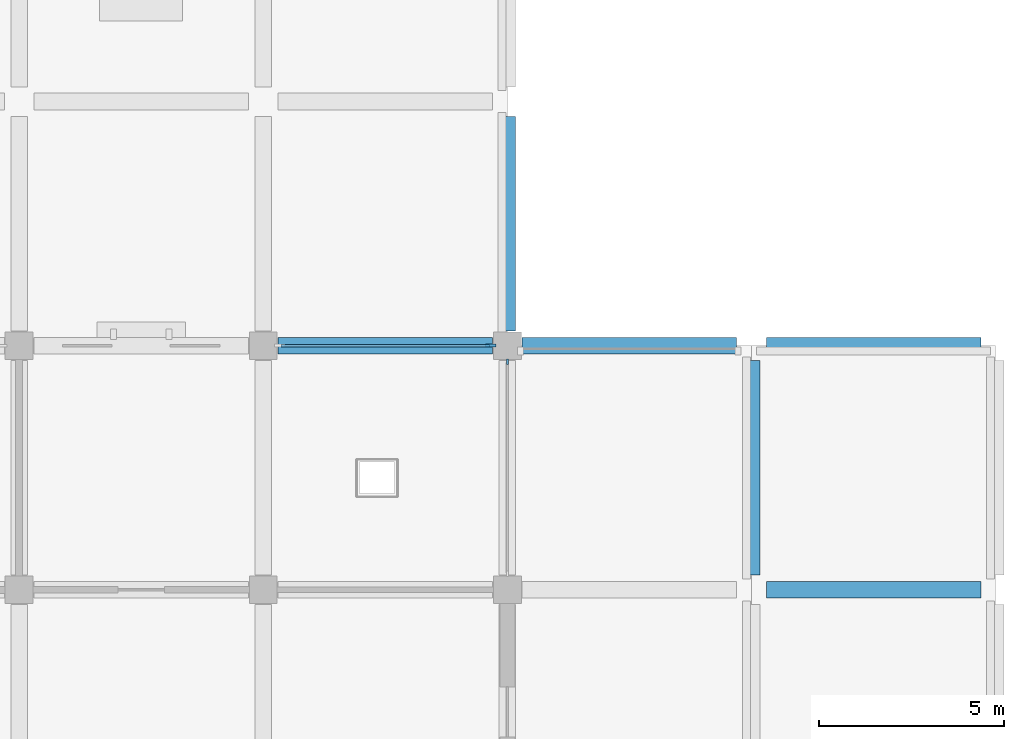
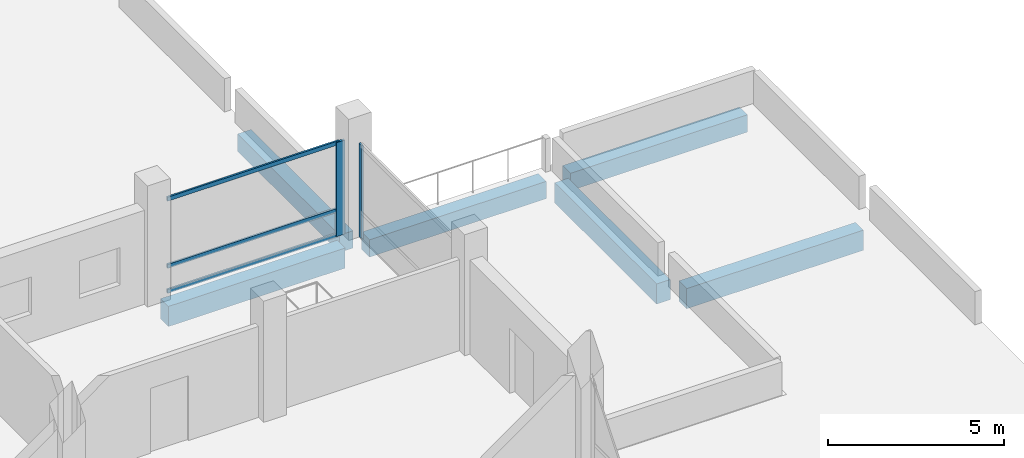
# One storey, part 4 of 23: 6 beams, 5 members, 2 elements without a shape of their own.
"""IFC4 building model written with IfcOpenShell, lengths in metres."""

from ifc_helpers import new_model, si_unit, direction, frame, origin, origin_2d, place, context, subcontext, project, spatial, rectangle, extrude, material, material_profile, profile_set, type_object, element, aggregate, save


model = new_model("IFC4")

# Units and contexts
model_context = context("Model", 3, precision=1e-05, world=origin(), true_north=direction((0.0, 1.0)))
body_context = subcontext(model_context, "Body", "Model", "MODEL_VIEW")
ifc_project = project(units=[si_unit("LENGTHUNIT", "METRE"), si_unit("AREAUNIT", "SQUARE_METRE"), si_unit("VOLUMEUNIT", "CUBIC_METRE"), si_unit("PLANEANGLEUNIT", "RADIAN"), si_unit("MASSUNIT", "GRAM", prefix="KILO")], contexts=[model_context])

# Site, building, storey
site_placement = place(None, origin())
site = spatial("IfcSite", under=ifc_project, at=site_placement, CompositionType="ELEMENT")
building_placement = place(site_placement, origin())
building = spatial("IfcBuilding", under=site, at=building_placement, Name="Rusizi Kubbe Research Institute", CompositionType="ELEMENT")
storey_placement = place(building_placement, frame((0.0, 0.0, 18.60009765625)))
storey = spatial("IfcBuildingStorey", under=building, at=storey_placement, Name="L04", CompositionType="ELEMENT", Elevation=18.60009765625)

# Beams
ifc_material_1 = material(Name="Concrete C40/50", Category="concrete")
ifc_material_profile_1 = material_profile(ifc_material_1, rectangle(XDim=0.449951171875, YDim=0.60009765625, at=origin_2d()), Name="RC450x600")
ifc_profile_set_1 = profile_set([ifc_material_profile_1], Name="Concrete C40/50")
beam_type_1 = type_object("IfcBeamType", Name="BM-RC450x600", PredefinedType="SPANDREL", material=ifc_profile_set_1)
for number, where, z_axis, x_axis, name in (
    (1, (53.199951171875, 26.39990234375, -0.64013671875), (1.0, 0.0, 0.0), (0.0, 1.0, 0.0), "Grid Beam H L04 (8,4)"),
    (2, (59.800048828125, 26.39990234375, -0.64013671875), (1.0, 0.0, 0.0), (0.0, 1.0, 0.0), "Grid Beam H L04 (9,4)"),
    (3, (52.800048828125, 26.800048828125, -0.64013671875), (0.0, 1.0, 0.0), (-1.0, 0.0, 0.0), "Grid Beam V L04 (8,4)"),
):
    element("IfcBeam", number, at=place(storey_placement, frame(where, z_axis=z_axis, x_axis=x_axis)), inside=storey, type_object=beam_type_1, Name=name, PredefinedType="SPANDREL", context=body_context, shape_type="SweptSolid", body=[
        extrude(rectangle(XDim=0.449951171875, YDim=0.60009765625, at=origin_2d()), origin(), (0.0, 0.0, 1.0), 5.800048828125),
    ])
ifc_material_2 = material(Name="Concrete C40/50", Category="concrete")
ifc_material_profile_2 = material_profile(ifc_material_2, rectangle(XDim=0.449951171875, YDim=0.699951171875, at=origin_2d()), Name="RC450x700B")
ifc_profile_set_2 = profile_set([ifc_material_profile_2], Name="Concrete C40/50")
beam_type_2 = type_object("IfcBeamType", Name="BM-RC450x700", PredefinedType="BEAM", material=ifc_profile_set_2)
beam_placement = place(storey_placement, frame((46.60009765625, 26.39990234375, -0.690185546875), z_axis=(1.0, 0.0, 0.0), x_axis=(0.0, 1.0, 0.0)))
element("IfcBeam", 4, at=beam_placement, inside=storey, type_object=beam_type_2, Name="Grid Beam H L04 (7,4)", PredefinedType="BEAM", context=body_context, shape_type="SweptSolid", body=[
    extrude(rectangle(XDim=0.449951171875, YDim=0.699951171875, at=origin_2d()), origin(), (0.0, 0.0, 1.0), 5.7998046875),
])
for number, where, z_axis, x_axis, name in (
    (5, (59.800048828125, 19.800048828125, -0.690185546875), (1.0, 0.0, 0.0), (0.0, 1.0, 0.0), "Grid Beam H L04 (9,3)"),
    (6, (59.39990234375, 20.199951171875, -0.690185546875), (0.0, 1.0, 0.0), (-1.0, 0.0, 0.0), "Grid Beam V L04 (9,3)"),
):
    element("IfcBeam", number, at=place(storey_placement, frame(where, z_axis=z_axis, x_axis=x_axis)), inside=storey, type_object=beam_type_2, Name=name, PredefinedType="BEAM", context=body_context, shape_type="SweptSolid", body=[
        extrude(rectangle(XDim=0.449951171875, YDim=0.699951171875, at=origin_2d()), origin(), (0.0, 0.0, 1.0), 5.800048828125),
    ])

# Curtain wall, member
ifc_material_3 = material(Name="Thermally Broken Aluminium and Low-E Glazing", Category="aluminium")
curtain_wall_type = type_object("IfcCurtainWallType", Name="CW-07", PredefinedType="NOTDEFINED", material=ifc_material_3)
curtain_wall_1_placement = place(storey_placement, origin())
curtain_wall_1 = element("IfcCurtainWall", 7, at=curtain_wall_1_placement, inside=storey, type_object=curtain_wall_type, Name="Unitised Facade Curtain Wall CW-L04-V-08-03", PredefinedType="NOTDEFINED")
ifc_material_4 = material(Name="Aluminium Alloy 6063-T6", Category="aluminium")
ifc_material_profile_3 = material_profile(ifc_material_4, rectangle(XDim=0.06005859375, YDim=0.14990234375, at=origin_2d()), Name="ALU-M 60x150")
ifc_profile_set_3 = profile_set([ifc_material_profile_3], Name="Aluminium Alloy 6063-T6")
member_type_1 = type_object("IfcMemberType", Name="ML-01", PredefinedType="MULLION", material=ifc_profile_set_3)
member_1_placement = place(storey_placement, frame((52.800048828125, 25.965087890625, 0.0), z_axis=(0.0, 0.0, 1.0), x_axis=(-1.0, 0.0, 0.0)))
member_1 = element("IfcMember", 8, at=member_1_placement, type_object=member_type_1, Name="CW-07 mullion 2", PredefinedType="MULLION", context=body_context, shape_type="SweptSolid", body=[
    extrude(rectangle(XDim=0.06005859375, YDim=0.14990234375, at=origin_2d()), origin(), (0.0, 0.0, 1.0), 3.260009765625),
])
aggregate(curtain_wall_1, [member_1])

# Curtain wall, members
curtain_wall_2_placement = place(storey_placement, origin())
curtain_wall_2 = element("IfcCurtainWall", 9, at=curtain_wall_2_placement, inside=storey, type_object=curtain_wall_type, Name="Unitised Facade Curtain Wall CW-L04-H-07-04", PredefinedType="NOTDEFINED")
ifc_material_5 = material(Name="Aluminium Alloy 6063-T6", Category="aluminium")
ifc_material_profile_4 = material_profile(ifc_material_5, rectangle(XDim=0.080078125, YDim=0.280029296875, at=origin_2d()), Name="ALU-M 80x280")
ifc_profile_set_4 = profile_set([ifc_material_profile_4], Name="Aluminium Alloy 6063-T6")
member_type_2 = type_object("IfcMemberType", Name="ML-06", PredefinedType="MULLION", material=ifc_profile_set_4)
member_2_placement = place(storey_placement, frame((52.35498046875, 26.39990234375, 0.0), z_axis=(0.0, 0.0, 1.0), x_axis=(0.0, 1.0, 0.0)))
member_2 = element("IfcMember", 10, at=member_2_placement, type_object=member_type_2, Name="CW-07 mullion 2", PredefinedType="MULLION", context=body_context, shape_type="SweptSolid", body=[
    extrude(rectangle(XDim=0.080078125, YDim=0.280029296875, at=origin_2d()), origin(), (0.0, 0.0, 1.0), 3.260009765625),
])
ifc_material_6 = material(Name="Aluminium Alloy 6063-T6", Category="aluminium")
ifc_material_profile_5 = material_profile(ifc_material_6, rectangle(XDim=0.06005859375, YDim=0.139892578125, at=origin_2d()), Name="ALU-T 60x140")
ifc_profile_set_5 = profile_set([ifc_material_profile_5], Name="Aluminium Alloy 6063-T6")
member_type_3 = type_object("IfcMemberType", Name="TR-02", PredefinedType="USERDEFINED", material=ifc_profile_set_5)
member_3_placement = place(storey_placement, frame((46.68505859375, 26.39990234375, 0.02978515625), z_axis=(1.0, 0.0, 0.0), x_axis=(0.0, 1.0, 0.0)))
member_3 = element("IfcMember", 11, at=member_3_placement, type_object=member_type_3, Name="CW-07 transom 1.1", ObjectType="TRANSOM", PredefinedType="USERDEFINED", context=body_context, shape_type="SweptSolid", body=[
    extrude(rectangle(XDim=0.06005859375, YDim=0.139892578125, at=origin_2d()), origin(), (0.0, 0.0, 1.0), 5.6298828125),
])
member_4_placement = place(storey_placement, frame((46.68505859375, 26.39990234375, 0.89990234375), z_axis=(1.0, 0.0, 0.0), x_axis=(0.0, 1.0, 0.0)))
member_4 = element("IfcMember", 12, at=member_4_placement, type_object=member_type_3, Name="CW-07 transom 1.2", ObjectType="TRANSOM", PredefinedType="USERDEFINED", context=body_context, shape_type="SweptSolid", body=[
    extrude(rectangle(XDim=0.06005859375, YDim=0.139892578125, at=origin_2d()), origin(), (0.0, 0.0, 1.0), 5.6298828125),
])
member_5_placement = place(storey_placement, frame((46.68505859375, 26.39990234375, 3.22998046875), z_axis=(1.0, 0.0, 0.0), x_axis=(0.0, 1.0, 0.0)))
member_5 = element("IfcMember", 13, at=member_5_placement, type_object=member_type_3, Name="CW-07 transom 1.3", ObjectType="TRANSOM", PredefinedType="USERDEFINED", context=body_context, shape_type="SweptSolid", body=[
    extrude(rectangle(XDim=0.06005859375, YDim=0.139892578125, at=origin_2d()), origin(), (0.0, 0.0, 1.0), 5.6298828125),
])
aggregate(curtain_wall_2, [member_2, member_3, member_4, member_5])

save(model, "model.ifc")
